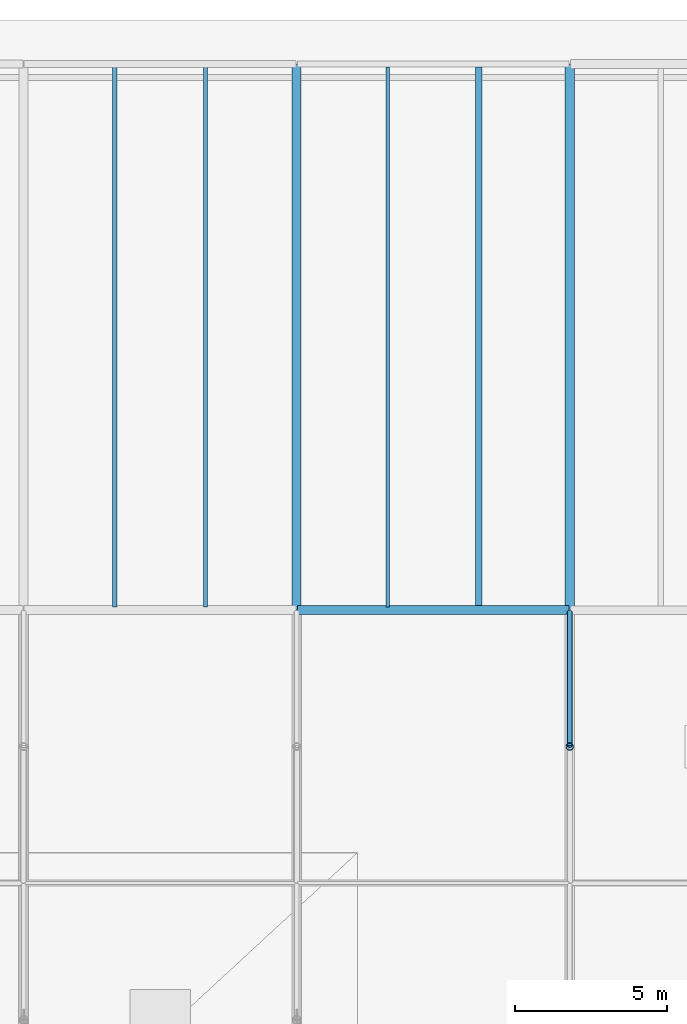
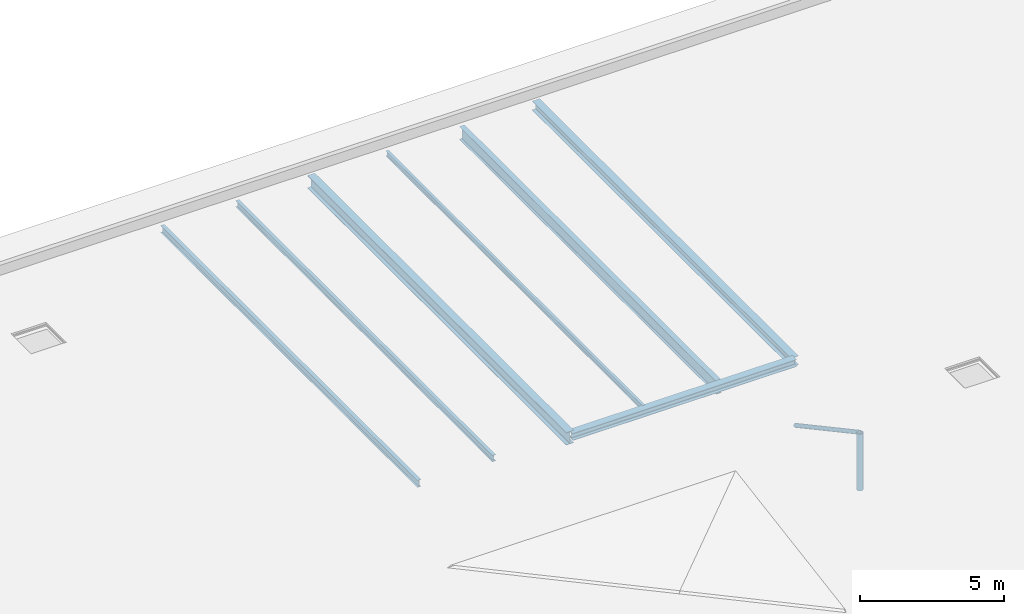
# One storey, part 71 of 196: 7 beams, 2 members.
"""IFC4 building model written with IfcOpenShell, lengths in metres."""

from ifc_helpers import new_model, si_unit, direction, frame, origin, origin_2d, place, context, subcontext, project, spatial, hollow_circle, i_section, extrude, material, material_profile, profile_set, type_object, element, save


model = new_model("IFC4")

# Units and contexts
model_context = context("Model", 3, precision=1e-05, world=origin(), true_north=direction((0.0, 1.0)))
body_context = subcontext(model_context, "Body", "Model", "MODEL_VIEW")
ifc_project = project(units=[si_unit("LENGTHUNIT", "METRE"), si_unit("AREAUNIT", "SQUARE_METRE"), si_unit("VOLUMEUNIT", "CUBIC_METRE"), si_unit("PLANEANGLEUNIT", "RADIAN"), si_unit("MASSUNIT", "GRAM", prefix="KILO")], contexts=[model_context])

# Site, building, storey
site_placement = place(None, origin())
site = spatial("IfcSite", under=ifc_project, at=site_placement, CompositionType="ELEMENT")
building_placement = place(site_placement, origin())
building = spatial("IfcBuilding", under=site, at=building_placement, Name="Barlavento Convention Centre", CompositionType="ELEMENT")
storey_placement = place(building_placement, frame((0.0, 0.0, 18.0)))
storey = spatial("IfcBuildingStorey", under=building, at=storey_placement, Name="L03", CompositionType="ELEMENT", Elevation=18.0)

# Beams
ifc_material = material(Name="Steel S355", Category="steel")
ifc_material_profile_1 = material_profile(ifc_material, i_section(OverallWidth=0.110107421875, OverallDepth=0.219970703125, WebThickness=0.005859375, FlangeThickness=0.00927734375, FilletRadius=0.011962890625, at=origin_2d()), Name="IPE 220")
ifc_profile_set_1 = profile_set([ifc_material_profile_1], Name="Steel S355")
beam_type_1 = type_object("IfcBeamType", Name="STR-BM-JST-IPE220", PredefinedType="JOIST", material=ifc_profile_set_1)
beam_1_placement = place(storey_placement, frame((57.0, 117.094970703125, -0.455078125), z_axis=(0.0, 1.0, 0.0), x_axis=(-1.0, 0.0, 0.0)))
element("IfcBeam", 1, at=beam_1_placement, inside=storey, type_object=beam_type_1, Name="L03 composite floor joist SJ10", PredefinedType="JOIST", context=body_context, shape_type="SweptSolid", body=[
    extrude(i_section(OverallWidth=0.110107421875, OverallDepth=0.219970703125, WebThickness=0.005859375, FlangeThickness=0.00927734375, FilletRadius=0.011962890625, at=origin_2d()), origin(), (0.0, 0.0, 1.0), 17.81005859375),
])
ifc_material_profile_2 = material_profile(ifc_material, i_section(OverallWidth=0.135009765625, OverallDepth=0.27001953125, WebThickness=0.006591796875, FlangeThickness=0.01025390625, FilletRadius=0.014892578125, at=origin_2d()), Name="IPE 270")
ifc_profile_set_2 = profile_set([ifc_material_profile_2], Name="Steel S355")
beam_type_2 = type_object("IfcBeamType", Name="STR-BM-JST-IPE270", PredefinedType="JOIST", material=ifc_profile_set_2)
beam_2_placement = place(storey_placement, frame((51.0, 117.094970703125, -0.47998046875), z_axis=(0.0, 1.0, 0.0), x_axis=(-1.0, 0.0, 0.0)))
element("IfcBeam", 2, at=beam_2_placement, inside=storey, type_object=beam_type_2, Name="L03 composite floor joist SJ08", PredefinedType="JOIST", context=body_context, shape_type="SweptSolid", body=[
    extrude(i_section(OverallWidth=0.135009765625, OverallDepth=0.27001953125, WebThickness=0.006591796875, FlangeThickness=0.01025390625, FilletRadius=0.014892578125, at=origin_2d()), origin(), (0.0, 0.0, 1.0), 17.81005859375),
])
ifc_material_profile_3 = material_profile(ifc_material, i_section(OverallWidth=0.14990234375, OverallDepth=0.300048828125, WebThickness=0.007080078125, FlangeThickness=0.0107421875, FilletRadius=0.014892578125, at=origin_2d()), Name="IPE 300")
ifc_profile_set_3 = profile_set([ifc_material_profile_3], Name="Steel S355")
beam_type_3 = type_object("IfcBeamType", Name="STR-BM-JST-IPE300", PredefinedType="JOIST", material=ifc_profile_set_3)
beam_3_placement = place(storey_placement, frame((48.0, 117.094970703125, -0.4951171875), z_axis=(0.0, 1.0, 0.0), x_axis=(-1.0, 0.0, 0.0)))
element("IfcBeam", 3, at=beam_3_placement, inside=storey, type_object=beam_type_3, Name="L03 composite floor joist SJ07", PredefinedType="JOIST", context=body_context, shape_type="SweptSolid", body=[
    extrude(i_section(OverallWidth=0.14990234375, OverallDepth=0.300048828125, WebThickness=0.007080078125, FlangeThickness=0.0107421875, FilletRadius=0.014892578125, at=origin_2d()), origin(), (0.0, 0.0, 1.0), 17.81005859375),
])
ifc_material_profile_4 = material_profile(ifc_material, i_section(OverallWidth=0.2099609375, OverallDepth=0.550048828125, WebThickness=0.010986328125, FlangeThickness=0.01708984375, FilletRadius=0.02392578125, at=origin_2d()), Name="IPE 550")
ifc_profile_set_4 = profile_set([ifc_material_profile_4], Name="Steel S355")
beam_type_4 = type_object("IfcBeamType", Name="STR-BM-JST-IPE550", PredefinedType="JOIST", material=ifc_profile_set_4)
beam_4_placement = place(storey_placement, frame((60.0, 117.094970703125, -0.6201171875), z_axis=(0.0, 1.0, 0.0), x_axis=(-1.0, 0.0, 0.0)))
element("IfcBeam", 4, at=beam_4_placement, inside=storey, type_object=beam_type_4, Name="L03 composite floor joist SJ01", PredefinedType="JOIST", context=body_context, shape_type="SweptSolid", body=[
    extrude(i_section(OverallWidth=0.2099609375, OverallDepth=0.550048828125, WebThickness=0.010986328125, FlangeThickness=0.01708984375, FilletRadius=0.02392578125, at=origin_2d()), origin(), (0.0, 0.0, 1.0), 17.81005859375),
])
ifc_material_profile_5 = material_profile(ifc_material, i_section(OverallWidth=0.300048828125, OverallDepth=0.389892578125, WebThickness=0.010986328125, FlangeThickness=0.01904296875, FilletRadius=0.027099609375, at=origin_2d()), Name="HEA 400")
ifc_profile_set_5 = profile_set([ifc_material_profile_5], Name="Steel S355")
beam_type_5 = type_object("IfcBeamType", Name="STR-BM-PRI-HEA400", PredefinedType="BEAM", material=ifc_profile_set_5)
beam_5_placement = place(storey_placement, frame((63.0, 117.02001953125, -0.5400390625), z_axis=(0.0, 1.0, 0.0), x_axis=(-1.0, 0.0, 0.0)))
element("IfcBeam", 5, at=beam_5_placement, inside=storey, type_object=beam_type_5, Name="L03 grid girder BG22", PredefinedType="BEAM", context=body_context, shape_type="SweptSolid", body=[
    extrude(i_section(OverallWidth=0.300048828125, OverallDepth=0.389892578125, WebThickness=0.010986328125, FlangeThickness=0.01904296875, FilletRadius=0.027099609375, at=origin_2d()), origin(), (0.0, 0.0, 1.0), 17.9599609375),
])
ifc_material_profile_6 = material_profile(ifc_material, i_section(OverallWidth=0.300048828125, OverallDepth=0.5400390625, WebThickness=0.012451171875, FlangeThickness=0.02392578125, FilletRadius=0.027099609375, at=origin_2d()), Name="HEA 550")
ifc_profile_set_6 = profile_set([ifc_material_profile_6], Name="Steel S355")
beam_type_6 = type_object("IfcBeamType", Name="STR-BM-PRI-HEA550", PredefinedType="BEAM", material=ifc_profile_set_6)
beam_6_placement = place(storey_placement, frame((54.0, 117.02001953125, -0.614990234375), z_axis=(0.0, 1.0, 0.0), x_axis=(-1.0, 0.0, 0.0)))
element("IfcBeam", 6, at=beam_6_placement, inside=storey, type_object=beam_type_6, Name="L03 grid girder BG19", PredefinedType="BEAM", context=body_context, shape_type="SweptSolid", body=[
    extrude(i_section(OverallWidth=0.300048828125, OverallDepth=0.5400390625, WebThickness=0.012451171875, FlangeThickness=0.02392578125, FilletRadius=0.027099609375, at=origin_2d()), origin(), (0.0, 0.0, 1.0), 17.9599609375),
])
ifc_material_profile_7 = material_profile(ifc_material, i_section(OverallWidth=0.300048828125, OverallDepth=0.300048828125, WebThickness=0.010986328125, FlangeThickness=0.01904296875, FilletRadius=0.027099609375, at=origin_2d()), Name="HEB 300")
ifc_profile_set_7 = profile_set([ifc_material_profile_7], Name="Steel S355")
beam_type_7 = type_object("IfcBeamType", Name="STR-BM-PRI-HEB300", PredefinedType="BEAM", material=ifc_profile_set_7)
beam_7_placement = place(storey_placement, frame((54.02001953125, 117.0, -0.4951171875), z_axis=(1.0, 0.0, 0.0), x_axis=(0.0, 1.0, 0.0)))
element("IfcBeam", 7, at=beam_7_placement, inside=storey, type_object=beam_type_7, Name="L03 primary girder BG14", PredefinedType="BEAM", context=body_context, shape_type="SweptSolid", body=[
    extrude(i_section(OverallWidth=0.300048828125, OverallDepth=0.300048828125, WebThickness=0.010986328125, FlangeThickness=0.01904296875, FilletRadius=0.027099609375, at=origin_2d()), origin(), (0.0, 0.0, 1.0), 8.9599609375),
])

# Members
ifc_material_profile_8 = material_profile(ifc_material, hollow_circle(Radius=0.084228515625, WallThickness=0.010009765625, at=origin_2d()), Name="CHS 168.3x10.0")
ifc_profile_set_8 = profile_set([ifc_material_profile_8], Name="Steel S355")
member_type_1 = type_object("IfcMemberType", Name="STR-MEM-DIAG-CHS168", PredefinedType="POST", material=ifc_profile_set_8)
member_1_placement = place(storey_placement, frame((63.0, 112.5, -0.794921875), z_axis=(0.0, 0.879735433057, -0.475463529437), x_axis=(-1.0, 0.0, 0.0)))
element("IfcMember", 8, at=member_1_placement, inside=storey, type_object=member_type_1, Name="Exhibition space frame web diagonal", PredefinedType="POST", context=body_context, shape_type="SweptSolid", body=[
    extrude(hollow_circle(Radius=0.084228515625, WallThickness=0.010009765625, at=origin_2d()), origin(), (0.0, 0.0, 1.0), 5.058349609375),
])
ifc_material_profile_9 = material_profile(ifc_material, hollow_circle(Radius=0.122314453125, WallThickness=0.012451171875, at=origin_2d()), Name="CHS 244.5x12.5")
ifc_profile_set_9 = profile_set([ifc_material_profile_9], Name="Steel S355")
member_type_2 = type_object("IfcMemberType", Name="STR-MEM-STRUT-CHS244", PredefinedType="STRUT", material=ifc_profile_set_9)
member_2_placement = place(storey_placement, frame((63.0, 112.5, -3.199951171875), z_axis=(0.0, 0.0, 1.0), x_axis=(1.0, 0.0, 0.0)))
element("IfcMember", 9, at=member_2_placement, inside=storey, type_object=member_type_2, Name="Exhibition space frame vertical strut", PredefinedType="STRUT", context=body_context, shape_type="SweptSolid", body=[
    extrude(hollow_circle(Radius=0.122314453125, WallThickness=0.012451171875, at=origin_2d()), origin(), (0.0, 0.0, 1.0), 2.405029296875),
])

save(model, "model.ifc")
